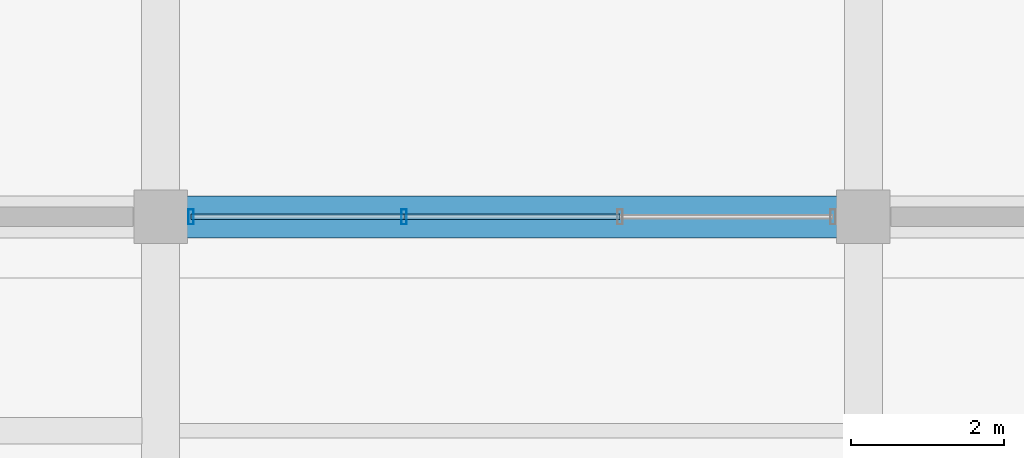
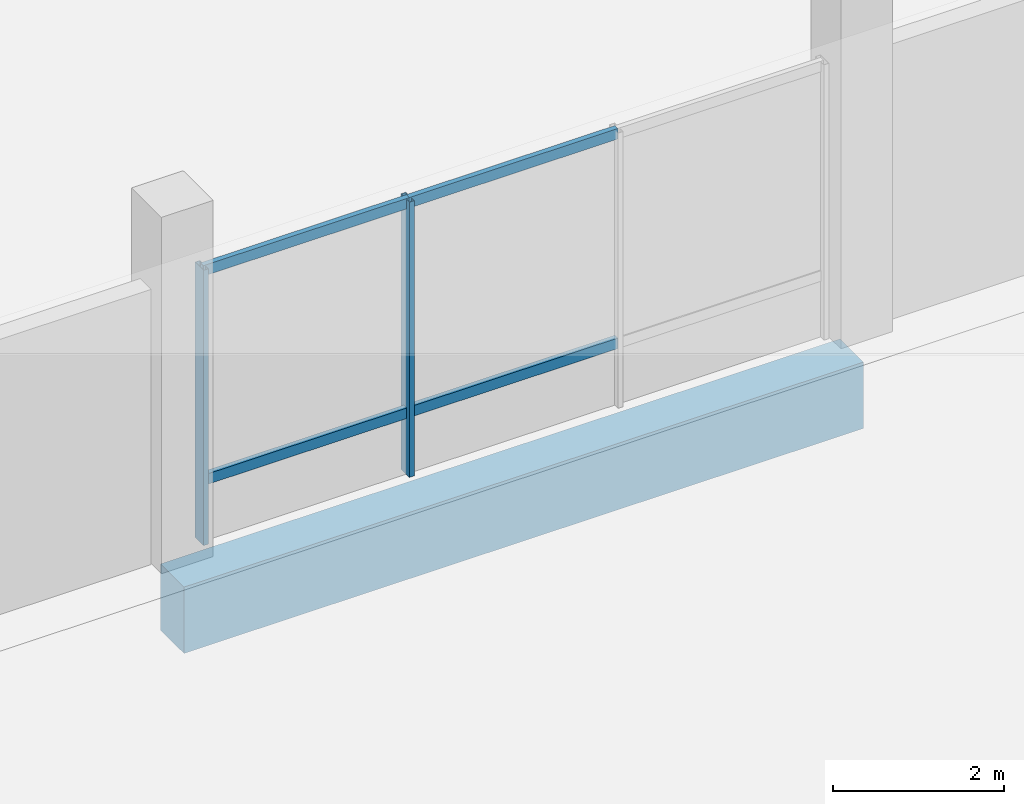
# One storey, part 23 of 73: 6 members, 1 beam, 1 element without a shape of its own.
"""IFC4 building model written with IfcOpenShell, lengths in metres."""

from ifc_helpers import new_model, si_unit, direction, frame, origin, origin_2d, place, context, subcontext, project, spatial, rectangle, hollow_rectangle, extrude, material, layer, layer_set, material_profile, profile_set, type_object, element, aggregate, save


model = new_model("IFC4")

# Units and contexts
model_context = context("Model", 3, precision=1e-05, world=origin(), true_north=direction((0.0, 1.0)))
body_context = subcontext(model_context, "Body", "Model", "MODEL_VIEW")
ifc_project = project(units=[si_unit("LENGTHUNIT", "METRE"), si_unit("AREAUNIT", "SQUARE_METRE"), si_unit("VOLUMEUNIT", "CUBIC_METRE"), si_unit("PLANEANGLEUNIT", "RADIAN"), si_unit("MASSUNIT", "GRAM", prefix="KILO")], contexts=[model_context])

# Site, building, storey
site_placement = place(None, origin())
site = spatial("IfcSite", under=ifc_project, at=site_placement, CompositionType="ELEMENT")
building_placement = place(site_placement, origin())
building = spatial("IfcBuilding", under=site, at=building_placement, Name="Meriwether Solvik Hall", CompositionType="ELEMENT")
storey_placement = place(building_placement, origin())
storey = spatial("IfcBuildingStorey", under=building, at=storey_placement, Name="L00", CompositionType="ELEMENT", Elevation=0.0)

# Beam
ifc_material_1 = material(Name="Concrete C40/50", Category="concrete")
ifc_material_profile_1 = material_profile(ifc_material_1, rectangle(XDim=0.550048828125, YDim=0.949951171875, at=origin_2d()), Name="RCB-550X950")
ifc_profile_set_1 = profile_set([ifc_material_profile_1], Name="Concrete C40/50")
beam_type = type_object("IfcBeamType", Name="BM-RC-550X950", PredefinedType="BEAM", material=ifc_profile_set_1)
beam_placement = place(storey_placement, frame((32.39990234375, 75.199951171875, -0.8349609375), z_axis=(1.0, 0.0, 0.0), x_axis=(0.0, 1.0, 0.0)))
element("IfcBeam", 1, at=beam_placement, inside=storey, type_object=beam_type, Name="Podium Girder I:4-5 (L00)", PredefinedType="BEAM", context=body_context, shape_type="SweptSolid", body=[
    extrude(rectangle(XDim=0.550048828125, YDim=0.949951171875, at=origin_2d()), origin(), (0.0, 0.0, 1.0), 9.2001953125),
])

# Curtain wall, members
ifc_material_2 = material(Name="Thermally Broken Anodised Aluminium 6063-T6 and Low-E Glass", Category="aluminium")
ifc_layer = layer(ifc_material_2, 0.179931640625)
ifc_layer_set = layer_set([ifc_layer], Name="Thermally Broken Anodised Aluminium 6063-T6 and Low-E Glass")
curtain_wall_type = type_object("IfcCurtainWallType", Name="CW-SF-POD-A", PredefinedType="USERDEFINED", material=ifc_layer_set)
curtain_wall_placement = place(storey_placement, origin())
curtain_wall = element("IfcCurtainWall", 2, at=curtain_wall_placement, inside=storey, type_object=curtain_wall_type, Name="Curtain Wall wing_XI_4_19 (L00)", ObjectType="STICK STOREFRONT GLAZING", PredefinedType="USERDEFINED")
ifc_material_3 = material(Name="Anodised Aluminium 6063-T6", Category="aluminium")
ifc_material_profile_2 = material_profile(ifc_material_3, hollow_rectangle(XDim=0.070068359375, YDim=0.199951171875, WallThickness=0.0048828125, at=origin_2d()), Name="CWM-70X200")
ifc_profile_set_2 = profile_set([ifc_material_profile_2], Name="Anodised Aluminium 6063-T6")
member_type_1 = type_object("IfcMemberType", Name="CW-MUL-70X200", PredefinedType="MULLION", material=ifc_profile_set_2)
member_1_placement = place(storey_placement, frame((32.800048828125, 75.199951171875, 0.0), z_axis=(0.0, 0.0, 1.0), x_axis=(1.0, 0.0, 0.0)))
member_1 = element("IfcMember", 3, at=member_1_placement, type_object=member_type_1, Name="Curtain Wall Mullion 1", PredefinedType="MULLION", context=body_context, shape_type="SweptSolid", body=[
    extrude(hollow_rectangle(XDim=0.070068359375, YDim=0.199951171875, WallThickness=0.0048828125, at=origin_2d()), origin(), (0.0, 0.0, 1.0), 3.93994140625),
])
member_2_placement = place(storey_placement, frame((35.58740234375, 75.199951171875, 0.0), z_axis=(0.0, 0.0, 1.0), x_axis=(1.0, 0.0, 0.0)))
member_2 = element("IfcMember", 4, at=member_2_placement, type_object=member_type_1, Name="Curtain Wall Mullion 2", PredefinedType="MULLION", context=body_context, shape_type="SweptSolid", body=[
    extrude(hollow_rectangle(XDim=0.070068359375, YDim=0.199951171875, WallThickness=0.0048828125, at=origin_2d()), origin(), (0.0, 0.0, 1.0), 3.93994140625),
])
ifc_material_4 = material(Name="Anodised Aluminium 6063-T6", Category="aluminium")
ifc_material_profile_3 = material_profile(ifc_material_4, hollow_rectangle(XDim=0.070068359375, YDim=0.14990234375, WallThickness=0.0048828125, at=origin_2d()), Name="CWT-70X150")
ifc_profile_set_3 = profile_set([ifc_material_profile_3], Name="Anodised Aluminium 6063-T6")
member_type_2 = type_object("IfcMemberType", Name="CW-TRN-70X150", PredefinedType="USERDEFINED", material=ifc_profile_set_3)
member_3_placement = place(storey_placement, frame((32.800048828125, 75.199951171875, 0.8798828125), z_axis=(1.0, 0.0, 0.0), x_axis=(0.0, 1.0, 0.0)))
member_3 = element("IfcMember", 5, at=member_3_placement, type_object=member_type_2, Name="Curtain Wall Transom 1-sill", ObjectType="TRANSOM", PredefinedType="USERDEFINED", context=body_context, shape_type="SweptSolid", body=[
    extrude(hollow_rectangle(XDim=0.070068359375, YDim=0.14990234375, WallThickness=0.0048828125, at=origin_2d()), origin(), (0.0, 0.0, 1.0), 2.787353515625),
])
member_4_placement = place(storey_placement, frame((32.800048828125, 75.199951171875, 3.8798828125), z_axis=(1.0, 0.0, 0.0), x_axis=(0.0, 1.0, 0.0)))
member_4 = element("IfcMember", 6, at=member_4_placement, type_object=member_type_2, Name="Curtain Wall Transom 1-head", ObjectType="TRANSOM", PredefinedType="USERDEFINED", context=body_context, shape_type="SweptSolid", body=[
    extrude(hollow_rectangle(XDim=0.070068359375, YDim=0.14990234375, WallThickness=0.0048828125, at=origin_2d()), origin(), (0.0, 0.0, 1.0), 2.787353515625),
])
member_5_placement = place(storey_placement, frame((35.58740234375, 75.199951171875, 0.8798828125), z_axis=(1.0, 0.0, 0.0), x_axis=(0.0, 1.0, 0.0)))
member_5 = element("IfcMember", 7, at=member_5_placement, type_object=member_type_2, Name="Curtain Wall Transom 2-sill", ObjectType="TRANSOM", PredefinedType="USERDEFINED", context=body_context, shape_type="SweptSolid", body=[
    extrude(hollow_rectangle(XDim=0.070068359375, YDim=0.14990234375, WallThickness=0.0048828125, at=origin_2d()), origin(), (0.0, 0.0, 1.0), 2.8251953125),
])
member_6_placement = place(storey_placement, frame((35.58740234375, 75.199951171875, 3.8798828125), z_axis=(1.0, 0.0, 0.0), x_axis=(0.0, 1.0, 0.0)))
member_6 = element("IfcMember", 8, at=member_6_placement, type_object=member_type_2, Name="Curtain Wall Transom 2-head", ObjectType="TRANSOM", PredefinedType="USERDEFINED", context=body_context, shape_type="SweptSolid", body=[
    extrude(hollow_rectangle(XDim=0.070068359375, YDim=0.14990234375, WallThickness=0.0048828125, at=origin_2d()), origin(), (0.0, 0.0, 1.0), 2.8251953125),
])
aggregate(curtain_wall, [member_1, member_2, member_3, member_4, member_5, member_6])

save(model, "model.ifc")
